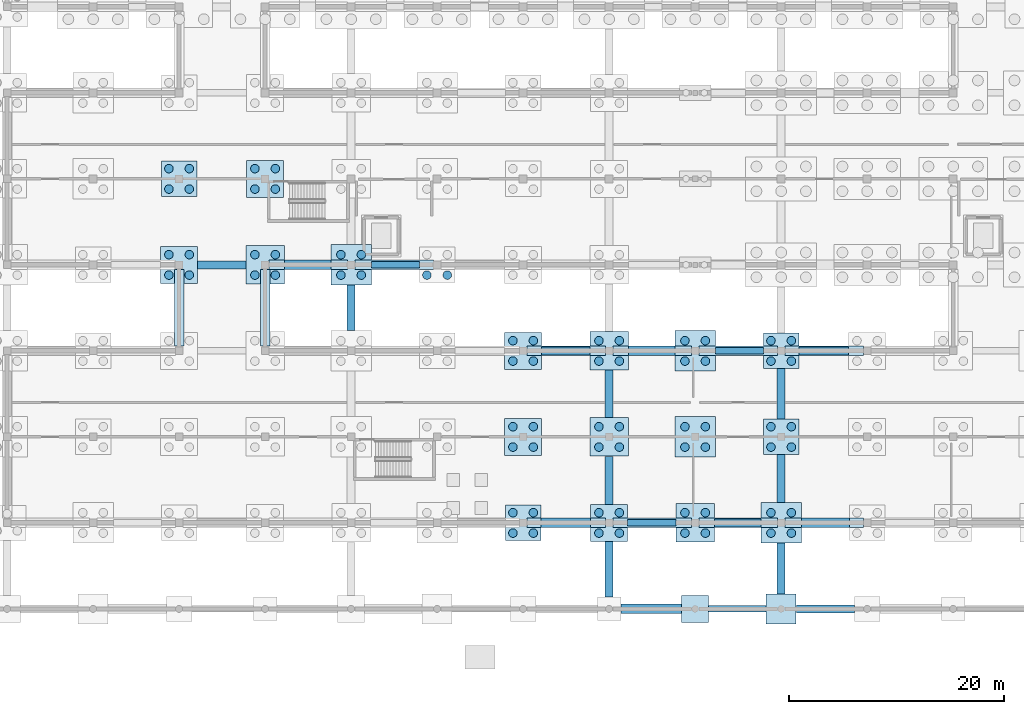
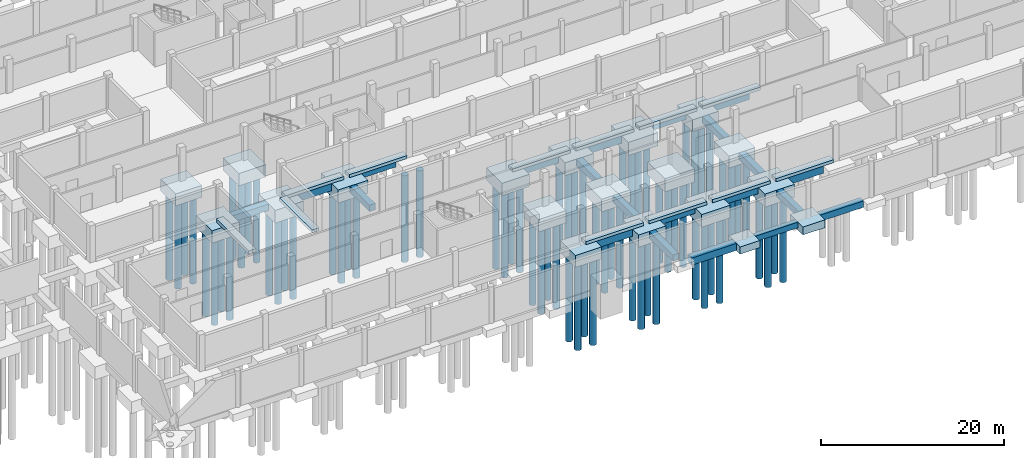
# One storey, part 5 of 51: 70 piles, 52 footings.
"""IFC4 building model written with IfcOpenShell, lengths in metres."""

from ifc_helpers import new_model, si_unit, direction, frame, origin, origin_2d, place, context, subcontext, project, spatial, rectangle, circle, extrude, material, material_profile, profile_set, type_object, element, save


model = new_model("IFC4")

# Units and contexts
model_context = context("Model", 3, precision=1e-05, world=origin(), true_north=direction((0.0, 1.0)))
body_context = subcontext(model_context, "Body", "Model", "MODEL_VIEW")
ifc_project = project(units=[si_unit("LENGTHUNIT", "METRE"), si_unit("AREAUNIT", "SQUARE_METRE"), si_unit("VOLUMEUNIT", "CUBIC_METRE"), si_unit("PLANEANGLEUNIT", "RADIAN"), si_unit("MASSUNIT", "GRAM", prefix="KILO")], contexts=[model_context])

# Site, building, storey
site_placement = place(None, origin())
site = spatial("IfcSite", under=ifc_project, at=site_placement, CompositionType="ELEMENT")
building_placement = place(site_placement, origin())
building = spatial("IfcBuilding", under=site, at=building_placement, Name="Jelvoka-Kovrelna Polytechnic", CompositionType="ELEMENT")
storey_placement = place(building_placement, frame((0.0, 0.0, -4.5)))
storey = spatial("IfcBuildingStorey", under=building, at=storey_placement, Name="B01", CompositionType="ELEMENT", Elevation=-4.5)

# Footings
ifc_material_1 = material(Name="Concrete C35/45", Category="concrete")
footing_type_1 = type_object("IfcFootingType", Name="Footing_Pad_PF2", PredefinedType="PAD_FOOTING", material=ifc_material_1)
footing_1_placement = place(storey_placement, frame((120.0, 0.0, -1.35498046875), z_axis=(0.0, 0.0, 1.0), x_axis=(1.0, 0.0, 0.0)))
element("IfcFooting", 1, at=footing_1_placement, inside=storey, type_object=footing_type_1, Name="Isolated pad footing PF-009", PredefinedType="PAD_FOOTING", context=body_context, shape_type="SweptSolid", body=[
    extrude(rectangle(XDim=2.5, YDim=2.5, at=origin_2d()), origin(), (0.0, 0.0, 1.0), 0.949951171875),
])
ifc_material_2 = material(Name="Concrete C35/45", Category="concrete")
footing_type_2 = type_object("IfcFootingType", Name="Footing_Pad_PF3", PredefinedType="PAD_FOOTING", material=ifc_material_2)
footing_2_placement = place(storey_placement, frame((128.0, 0.0, -1.455078125), z_axis=(0.0, 0.0, 1.0), x_axis=(1.0, 0.0, 0.0)))
element("IfcFooting", 2, at=footing_2_placement, inside=storey, type_object=footing_type_2, Name="Isolated pad footing PF-010", PredefinedType="PAD_FOOTING", context=body_context, shape_type="SweptSolid", body=[
    extrude(rectangle(XDim=2.800048828125, YDim=2.800048828125, at=origin_2d()), origin(), (0.0, 0.0, 1.0), 1.050048828125),
])
ifc_material_3 = material(Name="Concrete C35/45", Category="concrete")
footing_type_3 = type_object("IfcFootingType", Name="Footing_PileCap_PC4A", PredefinedType="PILE_CAP", material=ifc_material_3)
for number, where, z_axis, x_axis, name in (
    (3, (104.0, 8.0, -2.005126953125), (0.0, 0.0, 1.0), (1.0, 0.0, 0.0), "Bored pile cap 020 (PC-4)"),
    (4, (128.0, 16.0, -2.005126953125), (0.0, 0.0, 1.0), (1.0, 0.0, 0.0), "Bored pile cap 044 (PC-4)"),
    (5, (128.0, 24.0, -2.005126953125), (0.0, 0.0, 1.0), (1.0, 0.0, 0.0), "Bored pile cap 068 (PC-4)"),
    (6, (72.0, 40.0, -2.005126953125), (0.0, 0.0, 1.0), (1.0, 0.0, 0.0), "Bored pile cap 112 (PC-4)"),
):
    element("IfcFooting", number, at=place(storey_placement, frame(where, z_axis=z_axis, x_axis=x_axis)), inside=storey, type_object=footing_type_3, Name=name, PredefinedType="PILE_CAP", context=body_context, shape_type="SweptSolid", body=[
        extrude(rectangle(XDim=3.300048828125, YDim=3.300048828125, at=origin_2d()), origin(), (0.0, 0.0, 1.0), 1.60009765625),
    ])
ifc_material_4 = material(Name="Concrete C35/45", Category="concrete")
footing_type_4 = type_object("IfcFootingType", Name="Footing_PileCap_PC4B", PredefinedType="PILE_CAP", material=ifc_material_4)
for number, where, z_axis, x_axis, name in (
    (7, (112.0, 8.0, -2.054931640625), (0.0, 0.0, 1.0), (1.0, 0.0, 0.0), "Bored pile cap 021 (PC-4)"),
    (8, (104.0, 16.0, -2.054931640625), (0.0, 0.0, 1.0), (1.0, 0.0, 0.0), "Bored pile cap 041 (PC-4)"),
    (9, (104.0, 24.0, -2.054931640625), (0.0, 0.0, 1.0), (1.0, 0.0, 0.0), "Bored pile cap 065 (PC-4)"),
    (10, (72.0, 32.0, -2.054931640625), (0.0, 0.0, 1.0), (1.0, 0.0, 0.0), "Bored pile cap 085 (PC-4)"),
    (11, (80.0, 40.0, -2.054931640625), (0.0, 0.0, 1.0), (1.0, 0.0, 0.0), "Bored pile cap 113 (PC-4)"),
):
    element("IfcFooting", number, at=place(storey_placement, frame(where, z_axis=z_axis, x_axis=x_axis)), inside=storey, type_object=footing_type_4, Name=name, PredefinedType="PILE_CAP", context=body_context, shape_type="SweptSolid", body=[
        extrude(rectangle(XDim=3.449951171875, YDim=3.449951171875, at=origin_2d()), origin(), (0.0, 0.0, 1.0), 1.64990234375),
    ])
ifc_material_5 = material(Name="Concrete C35/45", Category="concrete")
footing_type_5 = type_object("IfcFootingType", Name="Footing_PileCap_PC4C", PredefinedType="PILE_CAP", material=ifc_material_5)
for number, where, z_axis, x_axis, name in (
    (12, (120.0, 8.0, -2.10498046875), (0.0, 0.0, 1.0), (1.0, 0.0, 0.0), "Bored pile cap 022 (PC-4)"),
    (13, (112.0, 16.0, -2.10498046875), (0.0, 0.0, 1.0), (1.0, 0.0, 0.0), "Bored pile cap 042 (PC-4)"),
    (14, (112.0, 24.0, -2.10498046875), (0.0, 0.0, 1.0), (1.0, 0.0, 0.0), "Bored pile cap 066 (PC-4)"),
    (15, (80.0, 32.0, -2.10498046875), (0.0, 0.0, 1.0), (1.0, 0.0, 0.0), "Bored pile cap 086 (PC-4)"),
):
    element("IfcFooting", number, at=place(storey_placement, frame(where, z_axis=z_axis, x_axis=x_axis)), inside=storey, type_object=footing_type_5, Name=name, PredefinedType="PILE_CAP", context=body_context, shape_type="SweptSolid", body=[
        extrude(rectangle(XDim=3.60009765625, YDim=3.60009765625, at=origin_2d()), origin(), (0.0, 0.0, 1.0), 1.699951171875),
    ])
ifc_material_6 = material(Name="Concrete C35/45", Category="concrete")
footing_type_6 = type_object("IfcFootingType", Name="Footing_PileCap_PC4D", PredefinedType="PILE_CAP", material=ifc_material_6)
for number, where, z_axis, x_axis, name in (
    (16, (128.0, 8.0, -2.155029296875), (0.0, 0.0, 1.0), (1.0, 0.0, 0.0), "Bored pile cap 023 (PC-4)"),
    (17, (120.0, 16.0, -2.155029296875), (0.0, 0.0, 1.0), (1.0, 0.0, 0.0), "Bored pile cap 043 (PC-4)"),
    (18, (120.0, 24.0, -2.155029296875), (0.0, 0.0, 1.0), (1.0, 0.0, 0.0), "Bored pile cap 067 (PC-4)"),
    (19, (88.0, 32.0, -2.155029296875), (0.0, 0.0, 1.0), (1.0, 0.0, 0.0), "Bored pile cap 087 (PC-4)"),
):
    element("IfcFooting", number, at=place(storey_placement, frame(where, z_axis=z_axis, x_axis=x_axis)), inside=storey, type_object=footing_type_6, Name=name, PredefinedType="PILE_CAP", context=body_context, shape_type="SweptSolid", body=[
        extrude(rectangle(XDim=3.75, YDim=3.75, at=origin_2d()), origin(), (0.0, 0.0, 1.0), 1.75),
    ])
ifc_material_7 = material(Name="Concrete C35/45", Category="concrete")
footing_type_7 = type_object("IfcFootingType", Name="Footing_Strip_SF1", PredefinedType="STRIP_FOOTING", material=ifc_material_7)
for number, where, z_axis, x_axis, name in (
    (20, (92.112548828125, 32.0, -1.155029296875), (0.0, 0.0, 1.0), (1.0, 0.0, 0.0), "Strip foundation tie beam 086"),
    (21, (115.96240234375, 8.0, -1.155029296875), (0.0, 0.0, 1.0), (1.0, 0.0, 0.0), "Strip foundation tie beam 123"),
):
    element("IfcFooting", number, at=place(storey_placement, frame(where, z_axis=z_axis, x_axis=x_axis)), inside=storey, type_object=footing_type_7, Name=name, PredefinedType="STRIP_FOOTING", context=body_context, shape_type="SweptSolid", body=[
        extrude(rectangle(XDim=4.470947265625, YDim=0.60009765625, at=origin_2d()), origin(), (0.0, 0.0, 1.0), 0.75),
    ])
footing_3_placement = place(storey_placement, frame((123.925048828125, 0.0, -1.155029296875), z_axis=(0.0, 0.0, 1.0), x_axis=(1.0, 0.0, 0.0)))
element("IfcFooting", 22, at=footing_3_placement, inside=storey, type_object=footing_type_7, Name="Strip foundation tie beam 142", PredefinedType="STRIP_FOOTING", context=body_context, shape_type="SweptSolid", body=[
    extrude(rectangle(XDim=5.345947265625, YDim=0.60009765625, at=origin_2d()), origin(), (0.0, 0.0, 1.0), 0.75),
])
footing_4_placement = place(storey_placement, frame((124.112548828125, 24.0, -1.155029296875), z_axis=(0.0, 0.0, 1.0), x_axis=(1.0, 0.0, 0.0)))
element("IfcFooting", 23, at=footing_4_placement, inside=storey, type_object=footing_type_7, Name="Strip foundation tie beam 144", PredefinedType="STRIP_FOOTING", context=body_context, shape_type="SweptSolid", body=[
    extrude(rectangle(XDim=4.470947265625, YDim=0.60009765625, at=origin_2d()), origin(), (0.0, 0.0, 1.0), 0.75),
])
ifc_material_8 = material(Name="Concrete C35/45", Category="concrete")
footing_type_8 = type_object("IfcFootingType", Name="Footing_Strip_SF2", PredefinedType="STRIP_FOOTING", material=ifc_material_8)
footing_5_placement = place(storey_placement, frame((75.96240234375, 32.0, -1.255126953125), z_axis=(0.0, 0.0, 1.0), x_axis=(1.0, 0.0, 0.0)))
element("IfcFooting", 24, at=footing_5_placement, inside=storey, type_object=footing_type_8, Name="Strip foundation tie beam 064", PredefinedType="STRIP_FOOTING", context=body_context, shape_type="SweptSolid", body=[
    extrude(rectangle(XDim=4.470947265625, YDim=0.75, at=origin_2d()), origin(), (0.0, 0.0, 1.0), 0.85009765625),
])
footing_6_placement = place(storey_placement, frame((88.0, 28.0, -1.255126953125), z_axis=(0.0, 0.0, 1.0), x_axis=(0.0, 1.0, 0.0)))
element("IfcFooting", 25, at=footing_6_placement, inside=storey, type_object=footing_type_8, Name="Strip foundation tie beam 085", PredefinedType="STRIP_FOOTING", context=body_context, shape_type="SweptSolid", body=[
    extrude(rectangle(XDim=4.24609375, YDim=0.75, at=origin_2d()), origin(), (0.0, 0.0, 1.0), 0.85009765625),
])
footing_7_placement = place(storey_placement, frame((107.96240234375, 24.0, -1.255126953125), z_axis=(0.0, 0.0, 1.0), x_axis=(1.0, 0.0, 0.0)))
element("IfcFooting", 26, at=footing_7_placement, inside=storey, type_object=footing_type_8, Name="Strip foundation tie beam 114", PredefinedType="STRIP_FOOTING", context=body_context, shape_type="SweptSolid", body=[
    extrude(rectangle(XDim=4.470947265625, YDim=0.75, at=origin_2d()), origin(), (0.0, 0.0, 1.0), 0.85009765625),
])
footing_8_placement = place(storey_placement, frame((112.0, 3.6875, -1.255126953125), z_axis=(0.0, 0.0, 1.0), x_axis=(0.0, 1.0, 0.0)))
element("IfcFooting", 27, at=footing_8_placement, inside=storey, type_object=footing_type_8, Name="Strip foundation tie beam 122", PredefinedType="STRIP_FOOTING", context=body_context, shape_type="SweptSolid", body=[
    extrude(rectangle(XDim=5.1708984375, YDim=0.75, at=origin_2d()), origin(), (0.0, 0.0, 1.0), 0.85009765625),
])
footing_9_placement = place(storey_placement, frame((112.0, 11.96240234375, -1.255126953125), z_axis=(0.0, 0.0, 1.0), x_axis=(0.0, 1.0, 0.0)))
element("IfcFooting", 28, at=footing_9_placement, inside=storey, type_object=footing_type_8, Name="Strip foundation tie beam 124", PredefinedType="STRIP_FOOTING", context=body_context, shape_type="SweptSolid", body=[
    extrude(rectangle(XDim=4.470947265625, YDim=0.75, at=origin_2d()), origin(), (0.0, 0.0, 1.0), 0.85009765625),
])
footing_10_placement = place(storey_placement, frame((112.0, 20.0, -1.255126953125), z_axis=(0.0, 0.0, 1.0), x_axis=(0.0, 1.0, 0.0)))
element("IfcFooting", 29, at=footing_10_placement, inside=storey, type_object=footing_type_8, Name="Strip foundation tie beam 125", PredefinedType="STRIP_FOOTING", context=body_context, shape_type="SweptSolid", body=[
    extrude(rectangle(XDim=4.39599609375, YDim=0.75, at=origin_2d()), origin(), (0.0, 0.0, 1.0), 0.85009765625),
])
footing_11_placement = place(storey_placement, frame((123.96240234375, 8.0, -1.255126953125), z_axis=(0.0, 0.0, 1.0), x_axis=(1.0, 0.0, 0.0)))
element("IfcFooting", 30, at=footing_11_placement, inside=storey, type_object=footing_type_8, Name="Strip foundation tie beam 143", PredefinedType="STRIP_FOOTING", context=body_context, shape_type="SweptSolid", body=[
    extrude(rectangle(XDim=4.321044921875, YDim=0.75, at=origin_2d()), origin(), (0.0, 0.0, 1.0), 0.85009765625),
])
footing_12_placement = place(storey_placement, frame((132.112548828125, 0.0, -1.255126953125), z_axis=(0.0, 0.0, 1.0), x_axis=(1.0, 0.0, 0.0)))
element("IfcFooting", 31, at=footing_12_placement, inside=storey, type_object=footing_type_8, Name="Strip foundation tie beam 151", PredefinedType="STRIP_FOOTING", context=body_context, shape_type="SweptSolid", body=[
    extrude(rectangle(XDim=5.4208984375, YDim=0.75, at=origin_2d()), origin(), (0.0, 0.0, 1.0), 0.85009765625),
])
footing_13_placement = place(storey_placement, frame((128.0, 3.762451171875, -1.255126953125), z_axis=(0.0, 0.0, 1.0), x_axis=(0.0, 1.0, 0.0)))
element("IfcFooting", 32, at=footing_13_placement, inside=storey, type_object=footing_type_8, Name="Strip foundation tie beam 152", PredefinedType="STRIP_FOOTING", context=body_context, shape_type="SweptSolid", body=[
    extrude(rectangle(XDim=4.720947265625, YDim=0.75, at=origin_2d()), origin(), (0.0, 0.0, 1.0), 0.85009765625),
])
footing_14_placement = place(storey_placement, frame((128.0, 12.112548828125, -1.255126953125), z_axis=(0.0, 0.0, 1.0), x_axis=(0.0, 1.0, 0.0)))
element("IfcFooting", 33, at=footing_14_placement, inside=storey, type_object=footing_type_8, Name="Strip foundation tie beam 154", PredefinedType="STRIP_FOOTING", context=body_context, shape_type="SweptSolid", body=[
    extrude(rectangle(XDim=4.470947265625, YDim=0.75, at=origin_2d()), origin(), (0.0, 0.0, 1.0), 0.85009765625),
])
footing_15_placement = place(storey_placement, frame((128.0, 20.0, -1.255126953125), z_axis=(0.0, 0.0, 1.0), x_axis=(0.0, 1.0, 0.0)))
element("IfcFooting", 34, at=footing_15_placement, inside=storey, type_object=footing_type_8, Name="Strip foundation tie beam 155", PredefinedType="STRIP_FOOTING", context=body_context, shape_type="SweptSolid", body=[
    extrude(rectangle(XDim=4.696044921875, YDim=0.75, at=origin_2d()), origin(), (0.0, 0.0, 1.0), 0.85009765625),
])
footing_16_placement = place(storey_placement, frame((131.96240234375, 24.0, -1.255126953125), z_axis=(0.0, 0.0, 1.0), x_axis=(1.0, 0.0, 0.0)))
element("IfcFooting", 35, at=footing_16_placement, inside=storey, type_object=footing_type_8, Name="Strip foundation tie beam 156", PredefinedType="STRIP_FOOTING", context=body_context, shape_type="SweptSolid", body=[
    extrude(rectangle(XDim=4.62109375, YDim=0.75, at=origin_2d()), origin(), (0.0, 0.0, 1.0), 0.85009765625),
])
ifc_material_9 = material(Name="Concrete C35/45", Category="concrete")
footing_type_9 = type_object("IfcFootingType", Name="Footing_Strip_SF3", PredefinedType="STRIP_FOOTING", material=ifc_material_9)
footing_17_placement = place(storey_placement, frame((83.96240234375, 32.0, -1.35498046875), z_axis=(0.0, 0.0, 1.0), x_axis=(1.0, 0.0, 0.0)))
element("IfcFooting", 36, at=footing_17_placement, inside=storey, type_object=footing_type_9, Name="Strip foundation tie beam 073", PredefinedType="STRIP_FOOTING", context=body_context, shape_type="SweptSolid", body=[
    extrude(rectangle(XDim=4.321044921875, YDim=0.89990234375, at=origin_2d()), origin(), (0.0, 0.0, 1.0), 0.949951171875),
])
footing_18_placement = place(storey_placement, frame((107.96240234375, 8.0, -1.35498046875), z_axis=(0.0, 0.0, 1.0), x_axis=(1.0, 0.0, 0.0)))
element("IfcFooting", 37, at=footing_18_placement, inside=storey, type_object=footing_type_9, Name="Strip foundation tie beam 113", PredefinedType="STRIP_FOOTING", context=body_context, shape_type="SweptSolid", body=[
    extrude(rectangle(XDim=4.62109375, YDim=0.89990234375, at=origin_2d()), origin(), (0.0, 0.0, 1.0), 0.949951171875),
])
footing_19_placement = place(storey_placement, frame((115.925048828125, 0.0, -1.35498046875), z_axis=(0.0, 0.0, 1.0), x_axis=(1.0, 0.0, 0.0)))
element("IfcFooting", 38, at=footing_19_placement, inside=storey, type_object=footing_type_9, Name="Strip foundation tie beam 121", PredefinedType="STRIP_FOOTING", context=body_context, shape_type="SweptSolid", body=[
    extrude(rectangle(XDim=5.64599609375, YDim=0.89990234375, at=origin_2d()), origin(), (0.0, 0.0, 1.0), 0.949951171875),
])
footing_20_placement = place(storey_placement, frame((115.96240234375, 24.0, -1.35498046875), z_axis=(0.0, 0.0, 1.0), x_axis=(1.0, 0.0, 0.0)))
element("IfcFooting", 39, at=footing_20_placement, inside=storey, type_object=footing_type_9, Name="Strip foundation tie beam 126", PredefinedType="STRIP_FOOTING", context=body_context, shape_type="SweptSolid", body=[
    extrude(rectangle(XDim=4.321044921875, YDim=0.89990234375, at=origin_2d()), origin(), (0.0, 0.0, 1.0), 0.949951171875),
])
footing_21_placement = place(storey_placement, frame((132.112548828125, 8.0, -1.35498046875), z_axis=(0.0, 0.0, 1.0), x_axis=(1.0, 0.0, 0.0)))
element("IfcFooting", 40, at=footing_21_placement, inside=storey, type_object=footing_type_9, Name="Strip foundation tie beam 153", PredefinedType="STRIP_FOOTING", context=body_context, shape_type="SweptSolid", body=[
    extrude(rectangle(XDim=4.470947265625, YDim=0.89990234375, at=origin_2d()), origin(), (0.0, 0.0, 1.0), 0.949951171875),
])
for number, where, z_axis, x_axis, name in (
    (41, (108.0, 8.0, -0.40478515625), (0.0, 0.0, 1.0), (1.0, 0.0, 0.0), "Strip foundation plinth beam B01W-012"),
    (42, (108.0, 24.0, -0.40478515625), (0.0, 0.0, 1.0), (1.0, 0.0, 0.0), "Strip foundation plinth beam B01W-013"),
    (43, (116.0, 8.0, -0.40478515625), (0.0, 0.0, 1.0), (1.0, 0.0, 0.0), "Strip foundation plinth beam B01W-014"),
    (44, (116.0, 24.0, -0.40478515625), (0.0, 0.0, 1.0), (1.0, 0.0, 0.0), "Strip foundation plinth beam B01W-015"),
    (45, (124.0, 8.0, -0.40478515625), (0.0, 0.0, 1.0), (1.0, 0.0, 0.0), "Strip foundation plinth beam B01W-016"),
    (46, (124.0, 24.0, -0.40478515625), (0.0, 0.0, 1.0), (1.0, 0.0, 0.0), "Strip foundation plinth beam B01W-017"),
    (47, (132.0, 8.0, -0.40478515625), (0.0, 0.0, 1.0), (1.0, 0.0, 0.0), "Strip foundation plinth beam B01W-018"),
    (48, (132.0, 24.0, -0.40478515625), (0.0, 0.0, 1.0), (1.0, 0.0, 0.0), "Strip foundation plinth beam B01W-019"),
    (49, (84.0, 32.0, -0.40478515625), (0.0, 0.0, 1.0), (1.0, 0.0, 0.0), "Strip foundation plinth beam B01W-041"),
    (50, (92.0, 32.0, -0.40478515625), (0.0, 0.0, 1.0), (1.0, 0.0, 0.0), "Strip foundation plinth beam B01W-043"),
):
    element("IfcFooting", number, at=place(storey_placement, frame(where, z_axis=z_axis, x_axis=x_axis)), inside=storey, type_object=footing_type_9, Name=name, PredefinedType="STRIP_FOOTING", context=body_context, shape_type="SweptSolid", body=[
        extrude(rectangle(XDim=7.300048828125, YDim=0.89990234375, at=origin_2d()), origin(), (0.0, 0.0, 1.0), 0.405029296875),
    ])
for number, where, z_axis, x_axis, name in (
    (51, (72.0, 28.0, -0.40478515625), (0.0, 0.0, 1.0), (0.0, 1.0, 0.0), "Strip foundation plinth beam B01W-107"),
    (52, (80.0, 28.0, -0.40478515625), (0.0, 0.0, 1.0), (0.0, 1.0, 0.0), "Strip foundation plinth beam B01W-109"),
):
    element("IfcFooting", number, at=place(storey_placement, frame(where, z_axis=z_axis, x_axis=x_axis)), inside=storey, type_object=footing_type_9, Name=name, PredefinedType="STRIP_FOOTING", context=body_context, shape_type="SweptSolid", body=[
        extrude(rectangle(XDim=7.095947265625, YDim=0.89990234375, at=origin_2d()), origin(), (0.0, 0.0, 1.0), 0.405029296875),
    ])

# Piles
ifc_material_10 = material(Name="Concrete C35/45", Category="concrete")
ifc_material_profile = material_profile(ifc_material_10, circle(Radius=0.39990234375, at=origin_2d()), Name="PILE D800")
ifc_profile_set = profile_set([ifc_material_profile], Name="Concrete C35/45")
pile_type = type_object("IfcPileType", Name="Pile_Bored_800", PredefinedType="BORED", material=ifc_profile_set)
for number, where, z_axis, x_axis, name in (
    (53, (103.050048828125, 7.050048828125, -1.905029296875), (0.0, 0.0, -1.0), (1.0, 0.0, 0.0), "Bored concrete pile 020-1"),
    (54, (104.949951171875, 7.050048828125, -1.905029296875), (0.0, 0.0, -1.0), (1.0, 0.0, 0.0), "Bored concrete pile 020-2"),
    (55, (103.050048828125, 8.949951171875, -1.905029296875), (0.0, 0.0, -1.0), (1.0, 0.0, 0.0), "Bored concrete pile 020-3"),
    (56, (104.949951171875, 8.949951171875, -1.905029296875), (0.0, 0.0, -1.0), (1.0, 0.0, 0.0), "Bored concrete pile 020-4"),
):
    element("IfcPile", number, at=place(storey_placement, frame(where, z_axis=z_axis, x_axis=x_axis)), inside=storey, type_object=pile_type, Name=name, PredefinedType="BORED", context=body_context, shape_type="SweptSolid", body=[
        extrude(circle(Radius=0.39990234375, at=origin_2d()), origin(), (0.0, 0.0, 1.0), 11.594970703125),
    ])
for number, where, z_axis, x_axis, name in (
    (57, (111.050048828125, 7.050048828125, -1.955078125), (0.0, 0.0, -1.0), (1.0, 0.0, 0.0), "Bored concrete pile 021-1"),
    (58, (112.949951171875, 7.050048828125, -1.955078125), (0.0, 0.0, -1.0), (1.0, 0.0, 0.0), "Bored concrete pile 021-2"),
    (59, (111.050048828125, 8.949951171875, -1.955078125), (0.0, 0.0, -1.0), (1.0, 0.0, 0.0), "Bored concrete pile 021-3"),
    (60, (112.949951171875, 8.949951171875, -1.955078125), (0.0, 0.0, -1.0), (1.0, 0.0, 0.0), "Bored concrete pile 021-4"),
):
    element("IfcPile", number, at=place(storey_placement, frame(where, z_axis=z_axis, x_axis=x_axis)), inside=storey, type_object=pile_type, Name=name, PredefinedType="BORED", context=body_context, shape_type="SweptSolid", body=[
        extrude(circle(Radius=0.39990234375, at=origin_2d()), origin(), (0.0, 0.0, 1.0), 11.544921875),
    ])
for number, where, z_axis, x_axis, name in (
    (61, (119.050048828125, 7.050048828125, -2.0048828125), (0.0, 0.0, -1.0), (1.0, 0.0, 0.0), "Bored concrete pile 022-1"),
    (62, (120.949951171875, 7.050048828125, -2.0048828125), (0.0, 0.0, -1.0), (1.0, 0.0, 0.0), "Bored concrete pile 022-2"),
    (63, (119.050048828125, 8.949951171875, -2.0048828125), (0.0, 0.0, -1.0), (1.0, 0.0, 0.0), "Bored concrete pile 022-3"),
    (64, (120.949951171875, 8.949951171875, -2.0048828125), (0.0, 0.0, -1.0), (1.0, 0.0, 0.0), "Bored concrete pile 022-4"),
):
    element("IfcPile", number, at=place(storey_placement, frame(where, z_axis=z_axis, x_axis=x_axis)), inside=storey, type_object=pile_type, Name=name, PredefinedType="BORED", context=body_context, shape_type="SweptSolid", body=[
        extrude(circle(Radius=0.39990234375, at=origin_2d()), origin(), (0.0, 0.0, 1.0), 11.4951171875),
    ])
for number, where, z_axis, x_axis, name in (
    (65, (127.050048828125, 7.050048828125, -2.054931640625), (0.0, 0.0, -1.0), (1.0, 0.0, 0.0), "Bored concrete pile 023-1"),
    (66, (128.949951171875, 7.050048828125, -2.054931640625), (0.0, 0.0, -1.0), (1.0, 0.0, 0.0), "Bored concrete pile 023-2"),
    (67, (127.050048828125, 8.949951171875, -2.054931640625), (0.0, 0.0, -1.0), (1.0, 0.0, 0.0), "Bored concrete pile 023-3"),
    (68, (128.949951171875, 8.949951171875, -2.054931640625), (0.0, 0.0, -1.0), (1.0, 0.0, 0.0), "Bored concrete pile 023-4"),
):
    element("IfcPile", number, at=place(storey_placement, frame(where, z_axis=z_axis, x_axis=x_axis)), inside=storey, type_object=pile_type, Name=name, PredefinedType="BORED", context=body_context, shape_type="SweptSolid", body=[
        extrude(circle(Radius=0.39990234375, at=origin_2d()), origin(), (0.0, 0.0, 1.0), 11.445068359375),
    ])
for number, where, z_axis, x_axis, name in (
    (69, (103.050048828125, 15.050048828125, -1.955078125), (0.0, 0.0, -1.0), (1.0, 0.0, 0.0), "Bored concrete pile 041-1"),
    (70, (104.949951171875, 15.050048828125, -1.955078125), (0.0, 0.0, -1.0), (1.0, 0.0, 0.0), "Bored concrete pile 041-2"),
    (71, (103.050048828125, 16.949951171875, -1.955078125), (0.0, 0.0, -1.0), (1.0, 0.0, 0.0), "Bored concrete pile 041-3"),
    (72, (104.949951171875, 16.949951171875, -1.955078125), (0.0, 0.0, -1.0), (1.0, 0.0, 0.0), "Bored concrete pile 041-4"),
):
    element("IfcPile", number, at=place(storey_placement, frame(where, z_axis=z_axis, x_axis=x_axis)), inside=storey, type_object=pile_type, Name=name, PredefinedType="BORED", context=body_context, shape_type="SweptSolid", body=[
        extrude(circle(Radius=0.39990234375, at=origin_2d()), origin(), (0.0, 0.0, 1.0), 11.544921875),
    ])
for number, where, z_axis, x_axis, name in (
    (73, (111.050048828125, 15.050048828125, -2.0048828125), (0.0, 0.0, -1.0), (1.0, 0.0, 0.0), "Bored concrete pile 042-1"),
    (74, (112.949951171875, 15.050048828125, -2.0048828125), (0.0, 0.0, -1.0), (1.0, 0.0, 0.0), "Bored concrete pile 042-2"),
    (75, (111.050048828125, 16.949951171875, -2.0048828125), (0.0, 0.0, -1.0), (1.0, 0.0, 0.0), "Bored concrete pile 042-3"),
    (76, (112.949951171875, 16.949951171875, -2.0048828125), (0.0, 0.0, -1.0), (1.0, 0.0, 0.0), "Bored concrete pile 042-4"),
):
    element("IfcPile", number, at=place(storey_placement, frame(where, z_axis=z_axis, x_axis=x_axis)), inside=storey, type_object=pile_type, Name=name, PredefinedType="BORED", context=body_context, shape_type="SweptSolid", body=[
        extrude(circle(Radius=0.39990234375, at=origin_2d()), origin(), (0.0, 0.0, 1.0), 11.4951171875),
    ])
for number, where, z_axis, x_axis, name in (
    (77, (119.050048828125, 15.050048828125, -2.054931640625), (0.0, 0.0, -1.0), (1.0, 0.0, 0.0), "Bored concrete pile 043-1"),
    (78, (120.949951171875, 15.050048828125, -2.054931640625), (0.0, 0.0, -1.0), (1.0, 0.0, 0.0), "Bored concrete pile 043-2"),
    (79, (119.050048828125, 16.949951171875, -2.054931640625), (0.0, 0.0, -1.0), (1.0, 0.0, 0.0), "Bored concrete pile 043-3"),
    (80, (120.949951171875, 16.949951171875, -2.054931640625), (0.0, 0.0, -1.0), (1.0, 0.0, 0.0), "Bored concrete pile 043-4"),
):
    element("IfcPile", number, at=place(storey_placement, frame(where, z_axis=z_axis, x_axis=x_axis)), inside=storey, type_object=pile_type, Name=name, PredefinedType="BORED", context=body_context, shape_type="SweptSolid", body=[
        extrude(circle(Radius=0.39990234375, at=origin_2d()), origin(), (0.0, 0.0, 1.0), 11.445068359375),
    ])
for number, where, z_axis, x_axis, name in (
    (81, (127.050048828125, 15.050048828125, -1.905029296875), (0.0, 0.0, -1.0), (1.0, 0.0, 0.0), "Bored concrete pile 044-1"),
    (82, (128.949951171875, 15.050048828125, -1.905029296875), (0.0, 0.0, -1.0), (1.0, 0.0, 0.0), "Bored concrete pile 044-2"),
    (83, (127.050048828125, 16.949951171875, -1.905029296875), (0.0, 0.0, -1.0), (1.0, 0.0, 0.0), "Bored concrete pile 044-3"),
    (84, (128.949951171875, 16.949951171875, -1.905029296875), (0.0, 0.0, -1.0), (1.0, 0.0, 0.0), "Bored concrete pile 044-4"),
):
    element("IfcPile", number, at=place(storey_placement, frame(where, z_axis=z_axis, x_axis=x_axis)), inside=storey, type_object=pile_type, Name=name, PredefinedType="BORED", context=body_context, shape_type="SweptSolid", body=[
        extrude(circle(Radius=0.39990234375, at=origin_2d()), origin(), (0.0, 0.0, 1.0), 11.594970703125),
    ])
for number, where, z_axis, x_axis, name in (
    (85, (103.050048828125, 23.050048828125, -1.955078125), (0.0, 0.0, -1.0), (1.0, 0.0, 0.0), "Bored concrete pile 065-1"),
    (86, (104.949951171875, 23.050048828125, -1.955078125), (0.0, 0.0, -1.0), (1.0, 0.0, 0.0), "Bored concrete pile 065-2"),
    (87, (103.050048828125, 24.949951171875, -1.955078125), (0.0, 0.0, -1.0), (1.0, 0.0, 0.0), "Bored concrete pile 065-3"),
    (88, (104.949951171875, 24.949951171875, -1.955078125), (0.0, 0.0, -1.0), (1.0, 0.0, 0.0), "Bored concrete pile 065-4"),
):
    element("IfcPile", number, at=place(storey_placement, frame(where, z_axis=z_axis, x_axis=x_axis)), inside=storey, type_object=pile_type, Name=name, PredefinedType="BORED", context=body_context, shape_type="SweptSolid", body=[
        extrude(circle(Radius=0.39990234375, at=origin_2d()), origin(), (0.0, 0.0, 1.0), 11.544921875),
    ])
for number, where, z_axis, x_axis, name in (
    (89, (111.050048828125, 23.050048828125, -2.0048828125), (0.0, 0.0, -1.0), (1.0, 0.0, 0.0), "Bored concrete pile 066-1"),
    (90, (112.949951171875, 23.050048828125, -2.0048828125), (0.0, 0.0, -1.0), (1.0, 0.0, 0.0), "Bored concrete pile 066-2"),
    (91, (111.050048828125, 24.949951171875, -2.0048828125), (0.0, 0.0, -1.0), (1.0, 0.0, 0.0), "Bored concrete pile 066-3"),
    (92, (112.949951171875, 24.949951171875, -2.0048828125), (0.0, 0.0, -1.0), (1.0, 0.0, 0.0), "Bored concrete pile 066-4"),
):
    element("IfcPile", number, at=place(storey_placement, frame(where, z_axis=z_axis, x_axis=x_axis)), inside=storey, type_object=pile_type, Name=name, PredefinedType="BORED", context=body_context, shape_type="SweptSolid", body=[
        extrude(circle(Radius=0.39990234375, at=origin_2d()), origin(), (0.0, 0.0, 1.0), 11.4951171875),
    ])
for number, where, z_axis, x_axis, name in (
    (93, (119.050048828125, 23.050048828125, -2.054931640625), (0.0, 0.0, -1.0), (1.0, 0.0, 0.0), "Bored concrete pile 067-1"),
    (94, (120.949951171875, 23.050048828125, -2.054931640625), (0.0, 0.0, -1.0), (1.0, 0.0, 0.0), "Bored concrete pile 067-2"),
    (95, (119.050048828125, 24.949951171875, -2.054931640625), (0.0, 0.0, -1.0), (1.0, 0.0, 0.0), "Bored concrete pile 067-3"),
    (96, (120.949951171875, 24.949951171875, -2.054931640625), (0.0, 0.0, -1.0), (1.0, 0.0, 0.0), "Bored concrete pile 067-4"),
):
    element("IfcPile", number, at=place(storey_placement, frame(where, z_axis=z_axis, x_axis=x_axis)), inside=storey, type_object=pile_type, Name=name, PredefinedType="BORED", context=body_context, shape_type="SweptSolid", body=[
        extrude(circle(Radius=0.39990234375, at=origin_2d()), origin(), (0.0, 0.0, 1.0), 11.445068359375),
    ])
for number, where, z_axis, x_axis, name in (
    (97, (127.050048828125, 23.050048828125, -1.905029296875), (0.0, 0.0, -1.0), (1.0, 0.0, 0.0), "Bored concrete pile 068-1"),
    (98, (128.949951171875, 23.050048828125, -1.905029296875), (0.0, 0.0, -1.0), (1.0, 0.0, 0.0), "Bored concrete pile 068-2"),
    (99, (127.050048828125, 24.949951171875, -1.905029296875), (0.0, 0.0, -1.0), (1.0, 0.0, 0.0), "Bored concrete pile 068-3"),
    (100, (128.949951171875, 24.949951171875, -1.905029296875), (0.0, 0.0, -1.0), (1.0, 0.0, 0.0), "Bored concrete pile 068-4"),
):
    element("IfcPile", number, at=place(storey_placement, frame(where, z_axis=z_axis, x_axis=x_axis)), inside=storey, type_object=pile_type, Name=name, PredefinedType="BORED", context=body_context, shape_type="SweptSolid", body=[
        extrude(circle(Radius=0.39990234375, at=origin_2d()), origin(), (0.0, 0.0, 1.0), 11.594970703125),
    ])
for number, where, z_axis, x_axis, name in (
    (101, (71.050048828125, 31.050048828125, -1.955078125), (0.0, 0.0, -1.0), (1.0, 0.0, 0.0), "Bored concrete pile 085-1"),
    (102, (72.949951171875, 31.050048828125, -1.955078125), (0.0, 0.0, -1.0), (1.0, 0.0, 0.0), "Bored concrete pile 085-2"),
    (103, (71.050048828125, 32.949951171875, -1.955078125), (0.0, 0.0, -1.0), (1.0, 0.0, 0.0), "Bored concrete pile 085-3"),
    (104, (72.949951171875, 32.949951171875, -1.955078125), (0.0, 0.0, -1.0), (1.0, 0.0, 0.0), "Bored concrete pile 085-4"),
):
    element("IfcPile", number, at=place(storey_placement, frame(where, z_axis=z_axis, x_axis=x_axis)), inside=storey, type_object=pile_type, Name=name, PredefinedType="BORED", context=body_context, shape_type="SweptSolid", body=[
        extrude(circle(Radius=0.39990234375, at=origin_2d()), origin(), (0.0, 0.0, 1.0), 11.544921875),
    ])
for number, where, z_axis, x_axis, name in (
    (105, (79.050048828125, 31.050048828125, -2.0048828125), (0.0, 0.0, -1.0), (1.0, 0.0, 0.0), "Bored concrete pile 086-1"),
    (106, (80.949951171875, 31.050048828125, -2.0048828125), (0.0, 0.0, -1.0), (1.0, 0.0, 0.0), "Bored concrete pile 086-2"),
    (107, (79.050048828125, 32.949951171875, -2.0048828125), (0.0, 0.0, -1.0), (1.0, 0.0, 0.0), "Bored concrete pile 086-3"),
    (108, (80.949951171875, 32.949951171875, -2.0048828125), (0.0, 0.0, -1.0), (1.0, 0.0, 0.0), "Bored concrete pile 086-4"),
):
    element("IfcPile", number, at=place(storey_placement, frame(where, z_axis=z_axis, x_axis=x_axis)), inside=storey, type_object=pile_type, Name=name, PredefinedType="BORED", context=body_context, shape_type="SweptSolid", body=[
        extrude(circle(Radius=0.39990234375, at=origin_2d()), origin(), (0.0, 0.0, 1.0), 11.4951171875),
    ])
for number, where, z_axis, x_axis, name in (
    (109, (87.050048828125, 31.050048828125, -2.054931640625), (0.0, 0.0, -1.0), (1.0, 0.0, 0.0), "Bored concrete pile 087-1"),
    (110, (88.949951171875, 31.050048828125, -2.054931640625), (0.0, 0.0, -1.0), (1.0, 0.0, 0.0), "Bored concrete pile 087-2"),
    (111, (87.050048828125, 32.949951171875, -2.054931640625), (0.0, 0.0, -1.0), (1.0, 0.0, 0.0), "Bored concrete pile 087-3"),
    (112, (88.949951171875, 32.949951171875, -2.054931640625), (0.0, 0.0, -1.0), (1.0, 0.0, 0.0), "Bored concrete pile 087-4"),
):
    element("IfcPile", number, at=place(storey_placement, frame(where, z_axis=z_axis, x_axis=x_axis)), inside=storey, type_object=pile_type, Name=name, PredefinedType="BORED", context=body_context, shape_type="SweptSolid", body=[
        extrude(circle(Radius=0.39990234375, at=origin_2d()), origin(), (0.0, 0.0, 1.0), 11.445068359375),
    ])
for number, where, z_axis, x_axis, name in (
    (113, (95.050048828125, 31.050048828125, -1.905029296875), (0.0, 0.0, -1.0), (1.0, 0.0, 0.0), "Bored concrete pile 088-1"),
    (114, (96.949951171875, 31.050048828125, -1.905029296875), (0.0, 0.0, -1.0), (1.0, 0.0, 0.0), "Bored concrete pile 088-2"),
    (115, (71.050048828125, 39.050048828125, -1.905029296875), (0.0, 0.0, -1.0), (1.0, 0.0, 0.0), "Bored concrete pile 112-1"),
    (116, (72.949951171875, 39.050048828125, -1.905029296875), (0.0, 0.0, -1.0), (1.0, 0.0, 0.0), "Bored concrete pile 112-2"),
    (117, (71.050048828125, 40.949951171875, -1.905029296875), (0.0, 0.0, -1.0), (1.0, 0.0, 0.0), "Bored concrete pile 112-3"),
    (118, (72.949951171875, 40.949951171875, -1.905029296875), (0.0, 0.0, -1.0), (1.0, 0.0, 0.0), "Bored concrete pile 112-4"),
):
    element("IfcPile", number, at=place(storey_placement, frame(where, z_axis=z_axis, x_axis=x_axis)), inside=storey, type_object=pile_type, Name=name, PredefinedType="BORED", context=body_context, shape_type="SweptSolid", body=[
        extrude(circle(Radius=0.39990234375, at=origin_2d()), origin(), (0.0, 0.0, 1.0), 11.594970703125),
    ])
for number, where, z_axis, x_axis, name in (
    (119, (79.050048828125, 39.050048828125, -1.955078125), (0.0, 0.0, -1.0), (1.0, 0.0, 0.0), "Bored concrete pile 113-1"),
    (120, (80.949951171875, 39.050048828125, -1.955078125), (0.0, 0.0, -1.0), (1.0, 0.0, 0.0), "Bored concrete pile 113-2"),
    (121, (79.050048828125, 40.949951171875, -1.955078125), (0.0, 0.0, -1.0), (1.0, 0.0, 0.0), "Bored concrete pile 113-3"),
    (122, (80.949951171875, 40.949951171875, -1.955078125), (0.0, 0.0, -1.0), (1.0, 0.0, 0.0), "Bored concrete pile 113-4"),
):
    element("IfcPile", number, at=place(storey_placement, frame(where, z_axis=z_axis, x_axis=x_axis)), inside=storey, type_object=pile_type, Name=name, PredefinedType="BORED", context=body_context, shape_type="SweptSolid", body=[
        extrude(circle(Radius=0.39990234375, at=origin_2d()), origin(), (0.0, 0.0, 1.0), 11.544921875),
    ])

save(model, "model.ifc")
